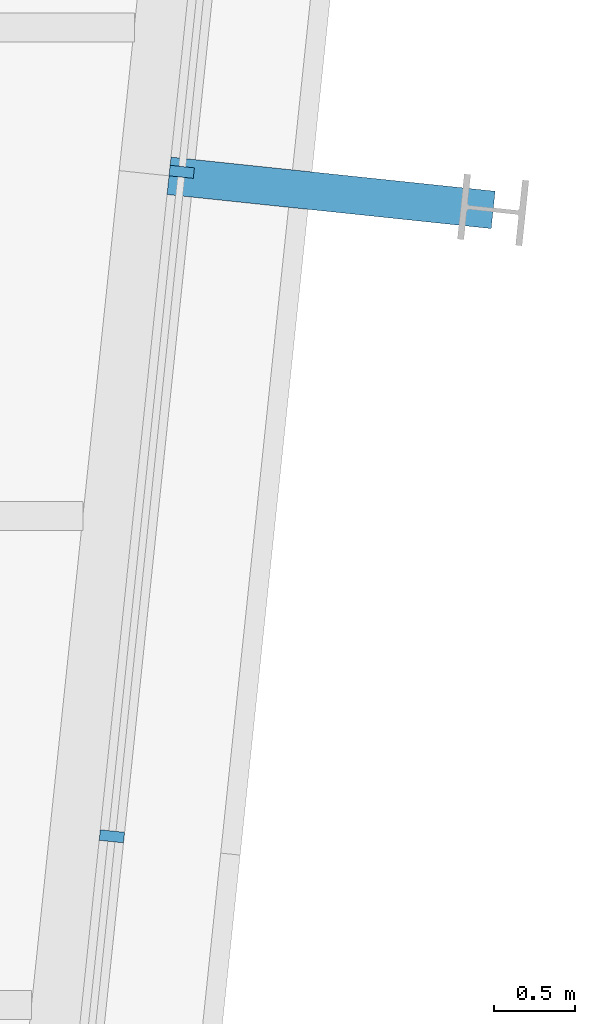
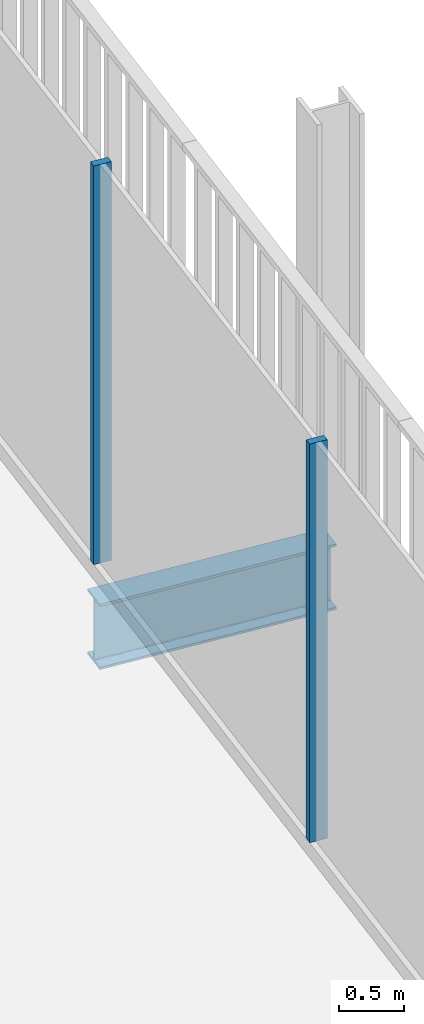
# One storey, part 11 of 20: 2 members, 1 beam, 1 element without a shape of its own.
"""IFC4 building model written with IfcOpenShell, lengths in metres."""

from ifc_helpers import new_model, si_unit, direction, frame, origin, origin_2d, place, context, subcontext, project, spatial, rectangle, i_section, extrude, material, layer, layer_set, material_profile, profile_set, type_object, element, aggregate, save


model = new_model("IFC4")

# Units and contexts
model_context = context("Model", 3, precision=1e-05, world=origin(), true_north=direction((0.0, 1.0)))
body_context = subcontext(model_context, "Body", "Model", "MODEL_VIEW")
ifc_project = project(units=[si_unit("LENGTHUNIT", "METRE"), si_unit("AREAUNIT", "SQUARE_METRE"), si_unit("VOLUMEUNIT", "CUBIC_METRE"), si_unit("PLANEANGLEUNIT", "RADIAN"), si_unit("MASSUNIT", "GRAM", prefix="KILO")], contexts=[model_context])

# Site, building, storey
site_placement = place(None, origin())
site = spatial("IfcSite", under=ifc_project, at=site_placement, CompositionType="ELEMENT")
building_placement = place(site_placement, origin())
building = spatial("IfcBuilding", under=site, at=building_placement, Name="Millrace Tower", CompositionType="ELEMENT")
storey_placement = place(building_placement, frame((0.0, 0.0, 287.699951171875)))
storey = spatial("IfcBuildingStorey", under=building, at=storey_placement, Name="L66", CompositionType="ELEMENT", Elevation=287.699951171875)

# Curtain wall, members
ifc_material_1 = material(Name="Aluminium and glass", Category="aluminium")
ifc_layer = layer(ifc_material_1, 0.14990234375)
ifc_layer_set = layer_set([ifc_layer], Name="Aluminium and glass")
curtain_wall_type = type_object("IfcCurtainWallType", Name="CW-1 office vision curtain wall", PredefinedType="NOTDEFINED", material=ifc_layer_set)
curtain_wall_placement = place(storey_placement, origin())
curtain_wall = element("IfcCurtainWall", 1, at=curtain_wall_placement, inside=storey, type_object=curtain_wall_type, Name="Curtain wall E-F04 L66", PredefinedType="NOTDEFINED")
ifc_material_2 = material(Name="Aluminium", Category="aluminium")
ifc_material_profile_1 = material_profile(ifc_material_2, rectangle(XDim=0.06494140625, YDim=0.14990234375, at=origin_2d()))
ifc_profile_set_1 = profile_set([ifc_material_profile_1], Name="Aluminium")
member_type = type_object("IfcMemberType", Name="CW-1 office vision curtain wall mullion", PredefinedType="MULLION", material=ifc_profile_set_1)
member_1_placement = place(storey_placement, frame((23.11767578125, 4.03515625, 0.14013671875), z_axis=(0.0, 0.0, 1.0), x_axis=(0.104528455196, 0.994521896217, 0.0)))
member_1 = element("IfcMember", 2, at=member_1_placement, type_object=member_type, Name="CW1 mullion E-F04.6", PredefinedType="MULLION", context=body_context, shape_type="SweptSolid", body=[
    extrude(rectangle(XDim=0.06494140625, YDim=0.14990234375, at=origin_2d()), origin(), (0.0, 0.0, 1.0), 3.760009765625),
])
member_2_placement = place(storey_placement, frame((23.546142578125, 8.11279296875, 0.14013671875), z_axis=(0.0, 0.0, 1.0), x_axis=(0.104528455196, 0.994521896217, 0.0)))
member_2 = element("IfcMember", 3, at=member_2_placement, type_object=member_type, Name="CW1 mullion E-F04.7", PredefinedType="MULLION", context=body_context, shape_type="SweptSolid", body=[
    extrude(rectangle(XDim=0.06494140625, YDim=0.14990234375, at=origin_2d()), origin(), (0.0, 0.0, 1.0), 3.760009765625),
])
aggregate(curtain_wall, [member_1, member_2])

# Beam
ifc_material_3 = material(Name="Steel ASTM A992 Grade 50", Category="steel")
ifc_material_profile_2 = material_profile(ifc_material_3, i_section(OverallWidth=0.23046875, OverallDepth=0.6171875, WebThickness=0.01318359375, FlangeThickness=0.022216796875, FilletRadius=0.012939453125, at=origin_2d()))
ifc_profile_set_2 = profile_set([ifc_material_profile_2], Name="Steel ASTM A992 Grade 50")
beam_type = type_object("IfcBeamType", Name="Link beam W24x94", PredefinedType="BEAM", material=ifc_profile_set_2)
beam_placement = place(storey_placement, frame((23.46826171875, 8.08837890625, -0.468505859375), z_axis=(0.994512808172, -0.104614886044, 0.0), x_axis=(0.104614886044, 0.994512808172, 0.0)))
element("IfcBeam", 4, at=beam_placement, inside=storey, type_object=beam_type, Name="LNK-E-L66-S1-10", PredefinedType="BEAM", context=body_context, shape_type="SweptSolid", body=[
    extrude(i_section(OverallWidth=0.23046875, OverallDepth=0.6171875, WebThickness=0.01318359375, FlangeThickness=0.022216796875, FilletRadius=0.012939453125, at=origin_2d()), origin(), (0.0, 0.0, 1.0), 2.0),
])

save(model, "model.ifc")
